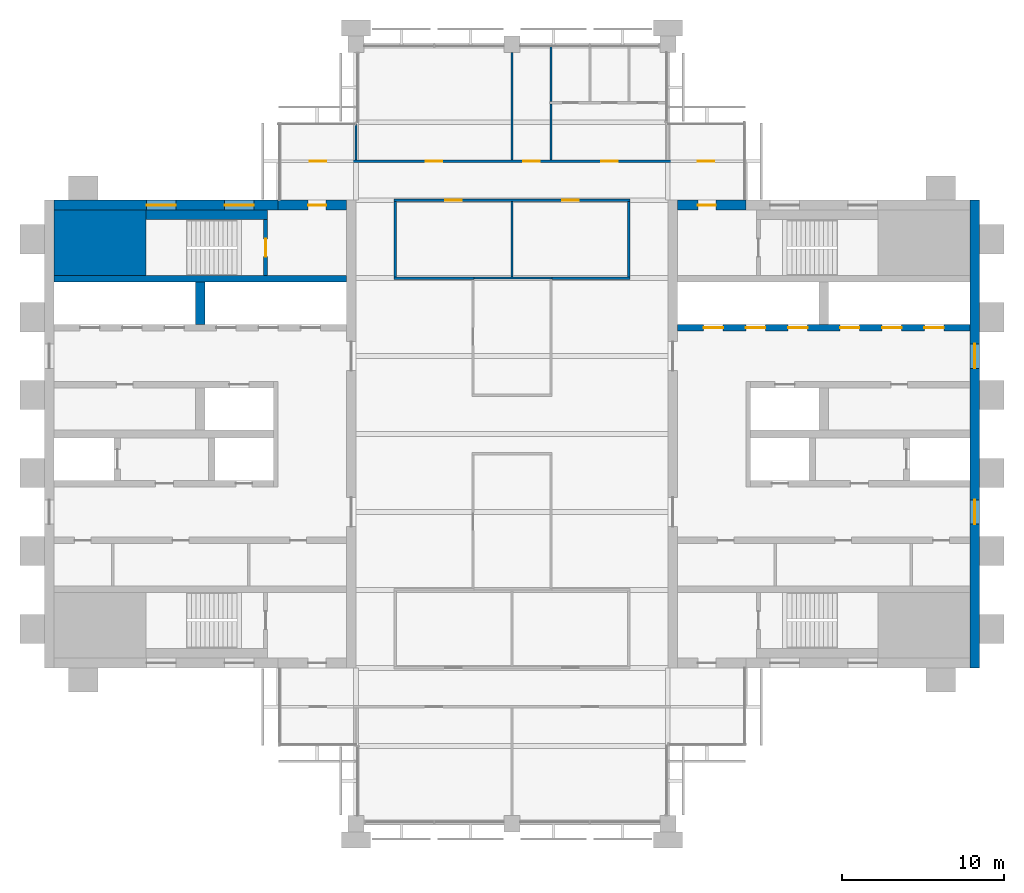
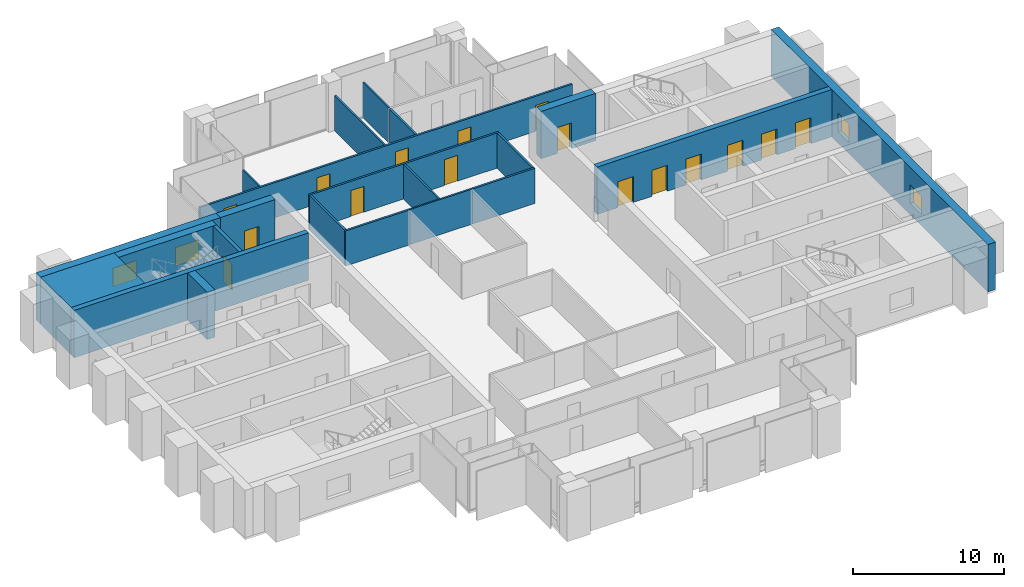
# One storey, part 10 of 12: 22 walls, 16 doors, 4 windows, 20 openings.
"""IFC4 building model written with IfcOpenShell, lengths in metres."""

from ifc_helpers import new_model, si_unit, direction, frame, frame_2d, origin, place, context, subcontext, project, spatial, rectangle, extrude, material, layer, layer_set, type_object, element, fill, save


model = new_model("IFC4")

# Units and contexts
model_context = context("Model", 3, precision=1e-05, world=origin(), true_north=direction((0.0, 1.0)))
body_context = subcontext(model_context, "Body", "Model", "MODEL_VIEW")
ifc_project = project(units=[si_unit("LENGTHUNIT", "METRE"), si_unit("AREAUNIT", "SQUARE_METRE"), si_unit("VOLUMEUNIT", "CUBIC_METRE"), si_unit("PLANEANGLEUNIT", "RADIAN"), si_unit("MASSUNIT", "GRAM", prefix="KILO")], contexts=[model_context])

# Site, building, storey
site_placement = place(None, origin())
site = spatial("IfcSite", under=ifc_project, at=site_placement, CompositionType="ELEMENT")
building_placement = place(site_placement, origin())
building = spatial("IfcBuilding", under=site, at=building_placement, Name="Baori Bourse Tower", CompositionType="ELEMENT")
storey_placement = place(building_placement, frame((0.0, 0.0, 298.300048828125)))
storey = spatial("IfcBuildingStorey", under=building, at=storey_placement, Name="L65", CompositionType="ELEMENT", Elevation=298.300048828125)

# Wall
ifc_material_1 = material(Name="Concrete f'c 40 MPa", Category="concrete")
wall_type_1 = type_object("IfcWallType", Name="Core corner block f'c 40", PredefinedType="SHEAR", material=ifc_material_1)
wall_1_placement = place(storey_placement, frame((0.60009765625, 35.77490234375, 0.0), z_axis=(0.0, 0.0, 1.0), x_axis=(1.0, 0.0, 0.0)))
element("IfcWall", 1, at=wall_1_placement, inside=storey, type_object=wall_type_1, Name="Core wall W22", PredefinedType="SHEAR", context=body_context, shape_type="SweptSolid", body=[
    extrude(rectangle(XDim=5.64990234375, YDim=4.050048828125, at=frame_2d((2.824951171875, 0.0))), origin(), (0.0, 0.0, 1.0), 3.83984375),
])

# Wall, openings, windows
ifc_material_2 = material(Name="Concrete f'c 40 MPa", Category="concrete")
ifc_layer_1 = layer(ifc_material_2, 0.60009765625)
ifc_layer_set_1 = layer_set([ifc_layer_1], Name="Core wall 600 f'c 40")
wall_type_2 = type_object("IfcWallType", Name="Core wall 600 f'c 40", PredefinedType="SHEAR", material=ifc_layer_set_1)
wall_2_placement = place(storey_placement, frame((0.60009765625, 38.10009765625, 0.0), z_axis=(0.0, 0.0, 1.0), x_axis=(1.0, 0.0, 0.0)))
wall_2 = element("IfcWall", 2, at=wall_2_placement, inside=storey, type_object=wall_type_2, Name="Core wall W25", PredefinedType="SHEAR", context=body_context, shape_type="SweptSolid", body=[
    extrude(rectangle(XDim=13.7998046875, YDim=0.60009765625, at=frame_2d((6.89990234375, 0.0))), origin(), (0.0, 0.0, 1.0), 3.83984375),
])
opening_1_placement = place(wall_2_placement, frame((5.699951171875, 0.0, 0.89990234375)))
opening_1 = element("IfcOpeningElement", 3, at=opening_1_placement, cuts=wall_2, Name="Opening L65-KW105", PredefinedType="OPENING", context=body_context, shape_type="SweptSolid", body=[
    extrude(rectangle(XDim=1.800048828125, YDim=1.5, at=frame_2d((0.89990234375, 0.75))), frame((0.0, 0.31005859375, 0.0), z_axis=(0.0, -1.0, 0.0), x_axis=(1.0, 0.0, 0.0)), (0.0, 0.0, 1.0), 0.6201171875),
])
opening_2_placement = place(wall_2_placement, frame((10.5, 0.0, 0.89990234375)))
opening_2 = element("IfcOpeningElement", 4, at=opening_2_placement, cuts=wall_2, Name="Opening L65-KW106", PredefinedType="OPENING", context=body_context, shape_type="SweptSolid", body=[
    extrude(rectangle(XDim=1.800048828125, YDim=1.5, at=frame_2d((0.89990234375, 0.75))), frame((0.0, 0.31005859375, 0.0), z_axis=(0.0, -1.0, 0.0), x_axis=(1.0, 0.0, 0.0)), (0.0, 0.0, 1.0), 0.6201171875),
])
ifc_material_3 = material(Name="Pale anodised aluminium", Category="aluminium")
window_type_1 = type_object("IfcWindowType", Name="Stair window 1800 x 1500", PartitioningType="SINGLE_PANEL", PredefinedType="WINDOW", material=ifc_material_3)
window_1_placement = place(opening_1_placement, origin())
window_1 = element("IfcWindow", 5, at=window_1_placement, inside=storey, type_object=window_type_1, Name="Stair window W L65 5", OverallHeight=1.5, OverallWidth=1.800048828125, PartitioningType="SINGLE_PANEL", PredefinedType="WINDOW", context=body_context, shape_type="SweptSolid", body=[
    extrude(rectangle(XDim=1.800048828125, YDim=1.5, at=frame_2d((0.89990234375, 0.75))), frame((0.0, 0.030029296875, 0.0), z_axis=(0.0, -1.0, 0.0), x_axis=(1.0, 0.0, 0.0)), (0.0, 0.0, 1.0), 0.06005859375),
])
fill(opening_1, window_1)
window_2_placement = place(opening_2_placement, origin())
window_2 = element("IfcWindow", 6, at=window_2_placement, inside=storey, type_object=window_type_1, Name="Stair window W L65 6", OverallHeight=1.5, OverallWidth=1.800048828125, PartitioningType="SINGLE_PANEL", PredefinedType="WINDOW", context=body_context, shape_type="SweptSolid", body=[
    extrude(rectangle(XDim=1.800048828125, YDim=1.5, at=frame_2d((0.89990234375, 0.75))), frame((0.0, 0.030029296875, 0.0), z_axis=(0.0, -1.0, 0.0), x_axis=(1.0, 0.0, 0.0)), (0.0, 0.0, 1.0), 0.06005859375),
])
fill(opening_2, window_2)

# Wall, opening, door
wall_3_placement = place(storey_placement, frame((14.39990234375, 38.10009765625, 0.0), z_axis=(0.0, 0.0, 1.0), x_axis=(1.0, 0.0, 0.0)))
wall_3 = element("IfcWall", 7, at=wall_3_placement, inside=storey, type_object=wall_type_2, Name="Core wall W26", PredefinedType="SHEAR", context=body_context, shape_type="SweptSolid", body=[
    extrude(rectangle(XDim=4.2001953125, YDim=0.60009765625, at=frame_2d((2.10009765625, 0.0))), origin(), (0.0, 0.0, 1.0), 3.83984375),
])
opening_3_placement = place(wall_3_placement, frame((1.85009765625, 0.0, 0.0)))
opening_3 = element("IfcOpeningElement", 8, at=opening_3_placement, cuts=wall_3, Name="Opening L65-D104", PredefinedType="OPENING", context=body_context, shape_type="SweptSolid", body=[
    extrude(rectangle(XDim=1.10009765625, YDim=2.10009765625, at=frame_2d((0.550048828125, 1.050048828125))), frame((0.0, 0.31005859375, 0.0), z_axis=(0.0, -1.0, 0.0), x_axis=(1.0, 0.0, 0.0)), (0.0, 0.0, 1.0), 0.6201171875),
])
ifc_material_4 = material(Name="Painted steel door", Category="steel")
door_type_1 = type_object("IfcDoorType", Name="Stair door 1100", OperationType="SINGLE_SWING_LEFT", PredefinedType="DOOR", material=ifc_material_4)
door_1_placement = place(opening_3_placement, origin())
door_1 = element("IfcDoor", 9, at=door_1_placement, inside=storey, type_object=door_type_1, Name="Stair vestibule door B W L65", OperationType="SINGLE_SWING_LEFT", OverallHeight=2.10009765625, OverallWidth=1.10009765625, PredefinedType="DOOR", context=body_context, shape_type="SweptSolid", body=[
    extrude(rectangle(XDim=1.10009765625, YDim=2.10009765625, at=frame_2d((0.550048828125, 1.050048828125))), frame((0.0, 0.02490234375, 0.0), z_axis=(0.0, -1.0, 0.0), x_axis=(1.0, 0.0, 0.0)), (0.0, 0.0, 1.0), 0.050048828125),
])
fill(opening_3, door_1)

# Wall, openings, windows
wall_4_placement = place(storey_placement, frame((57.300048828125, 38.39990234375, 0.0), z_axis=(0.0, 0.0, 1.0), x_axis=(0.0, -1.0, 0.0)))
wall_4 = element("IfcWall", 10, at=wall_4_placement, inside=storey, type_object=wall_type_2, Name="Core wall E01", PredefinedType="SHEAR", context=body_context, shape_type="SweptSolid", body=[
    extrude(rectangle(XDim=28.7998046875, YDim=0.60009765625, at=frame_2d((14.39990234375, 0.0))), origin(), (0.0, 0.0, 1.0), 3.83984375),
])
opening_4_placement = place(wall_4_placement, frame((18.449951171875, 0.0, 0.89990234375)))
opening_4 = element("IfcOpeningElement", 11, at=opening_4_placement, cuts=wall_4, Name="Opening L65-KW201", PredefinedType="OPENING", context=body_context, shape_type="SweptSolid", body=[
    extrude(rectangle(XDim=1.5, YDim=1.5, at=frame_2d((0.75, 0.75))), frame((0.0, 0.31005859375, 0.0), z_axis=(0.0, -1.0, 0.0), x_axis=(1.0, 0.0, 0.0)), (0.0, 0.0, 1.0), 0.6201171875),
])
opening_5_placement = place(wall_4_placement, frame((8.85009765625, 0.0, 0.89990234375)))
opening_5 = element("IfcOpeningElement", 12, at=opening_5_placement, cuts=wall_4, Name="Opening L65-KW202", PredefinedType="OPENING", context=body_context, shape_type="SweptSolid", body=[
    extrude(rectangle(XDim=1.5, YDim=1.5, at=frame_2d((0.75, 0.75))), frame((0.0, 0.31005859375, 0.0), z_axis=(0.0, -1.0, 0.0), x_axis=(1.0, 0.0, 0.0)), (0.0, 0.0, 1.0), 0.6201171875),
])
ifc_material_5 = material(Name="Pale anodised aluminium", Category="aluminium")
window_type_2 = type_object("IfcWindowType", Name="Lobby window 1500 x 1500", PartitioningType="SINGLE_PANEL", PredefinedType="WINDOW", material=ifc_material_5)
window_3_placement = place(opening_4_placement, origin())
window_3 = element("IfcWindow", 13, at=window_3_placement, inside=storey, type_object=window_type_2, Name="Outer wall window E L65 1", OverallHeight=1.5, OverallWidth=1.5, PartitioningType="SINGLE_PANEL", PredefinedType="WINDOW", context=body_context, shape_type="SweptSolid", body=[
    extrude(rectangle(XDim=1.5, YDim=1.5, at=frame_2d((0.75, 0.75))), frame((0.0, 0.030029296875, 0.0), z_axis=(0.0, -1.0, 0.0), x_axis=(1.0, 0.0, 0.0)), (0.0, 0.0, 1.0), 0.06005859375),
])
fill(opening_4, window_3)
window_4_placement = place(opening_5_placement, origin())
window_4 = element("IfcWindow", 14, at=window_4_placement, inside=storey, type_object=window_type_2, Name="Outer wall window E L65 2", OverallHeight=1.5, OverallWidth=1.5, PartitioningType="SINGLE_PANEL", PredefinedType="WINDOW", context=body_context, shape_type="SweptSolid", body=[
    extrude(rectangle(XDim=1.5, YDim=1.5, at=frame_2d((0.75, 0.75))), frame((0.0, 0.030029296875, 0.0), z_axis=(0.0, -1.0, 0.0), x_axis=(1.0, 0.0, 0.0)), (0.0, 0.0, 1.0), 0.06005859375),
])
fill(opening_5, window_4)

# Wall, opening, door
wall_5_placement = place(storey_placement, frame((39.0, 38.10009765625, 0.0), z_axis=(0.0, 0.0, 1.0), x_axis=(1.0, 0.0, 0.0)))
wall_5 = element("IfcWall", 15, at=wall_5_placement, inside=storey, type_object=wall_type_2, Name="Core wall E26", PredefinedType="SHEAR", context=body_context, shape_type="SweptSolid", body=[
    extrude(rectangle(XDim=4.199951171875, YDim=0.60009765625, at=frame_2d((2.10009765625, 0.0))), origin(), (0.0, 0.0, 1.0), 3.83984375),
])
opening_6_placement = place(wall_5_placement, frame((1.25, 0.0, 0.0)))
opening_6 = element("IfcOpeningElement", 16, at=opening_6_placement, cuts=wall_5, Name="Opening L65-D204", PredefinedType="OPENING", context=body_context, shape_type="SweptSolid", body=[
    extrude(rectangle(XDim=1.10009765625, YDim=2.10009765625, at=frame_2d((0.550048828125, 1.050048828125))), frame((0.0, 0.31005859375, 0.0), z_axis=(0.0, -1.0, 0.0), x_axis=(1.0, 0.0, 0.0)), (0.0, 0.0, 1.0), 0.6201171875),
])
door_2_placement = place(opening_6_placement, origin())
door_2 = element("IfcDoor", 17, at=door_2_placement, inside=storey, type_object=door_type_1, Name="Stair vestibule door B E L65", OperationType="SINGLE_SWING_LEFT", OverallHeight=2.10009765625, OverallWidth=1.10009765625, PredefinedType="DOOR", context=body_context, shape_type="SweptSolid", body=[
    extrude(rectangle(XDim=1.10009765625, YDim=2.10009765625, at=frame_2d((0.550048828125, 1.050048828125))), frame((0.0, 0.02490234375, 0.0), z_axis=(0.0, -1.0, 0.0), x_axis=(1.0, 0.0, 0.0)), (0.0, 0.0, 1.0), 0.050048828125),
])
fill(opening_6, door_2)

# Walls
ifc_material_6 = material(Name="Gypsum board partition")
ifc_layer_2 = layer(ifc_material_6, 0.14990234375)
ifc_layer_set_2 = layer_set([ifc_layer_2], Name="Corridor partition 150")
wall_type_3 = type_object("IfcWallType", Name="Corridor partition 150", PredefinedType="PARTITIONING", material=ifc_layer_set_2)
wall_6_placement = place(storey_placement, frame((21.52490234375, 33.60009765625, 0.0), z_axis=(0.0, 0.0, 1.0), x_axis=(1.0, 0.0, 0.0)))
element("IfcWall", 18, at=wall_6_placement, inside=storey, type_object=wall_type_3, Name="Partition", PredefinedType="PARTITIONING", context=body_context, shape_type="SweptSolid", body=[
    extrude(rectangle(XDim=4.9501953125, YDim=0.14990234375, at=frame_2d((2.47509765625, 0.0))), origin(), (0.0, 0.0, 1.0), 2.849365234375),
])
wall_7_placement = place(storey_placement, frame((31.27490234375, 33.60009765625, 0.0), z_axis=(0.0, 0.0, 1.0), x_axis=(1.0, 0.0, 0.0)))
element("IfcWall", 19, at=wall_7_placement, inside=storey, type_object=wall_type_3, Name="Partition", PredefinedType="PARTITIONING", context=body_context, shape_type="SweptSolid", body=[
    extrude(rectangle(XDim=4.800048828125, YDim=0.14990234375, at=frame_2d((2.39990234375, 0.0))), origin(), (0.0, 0.0, 1.0), 2.849365234375),
])

# Wall, openings, doors
wall_8_placement = place(storey_placement, frame((21.52490234375, 38.39990234375, 0.0), z_axis=(0.0, 0.0, 1.0), x_axis=(1.0, 0.0, 0.0)))
wall_8 = element("IfcWall", 20, at=wall_8_placement, inside=storey, type_object=wall_type_3, Name="Partition", PredefinedType="PARTITIONING", context=body_context, shape_type="SweptSolid", body=[
    extrude(rectangle(XDim=14.550048828125, YDim=0.14990234375, at=frame_2d((7.27490234375, 0.0))), origin(), (0.0, 0.0, 1.0), 2.849365234375),
])
opening_7_placement = place(wall_8_placement, frame((3.175048828125, 0.0, 0.0)))
opening_7 = element("IfcOpeningElement", 21, at=opening_7_placement, cuts=wall_8, Name="Opening L65-D06", PredefinedType="OPENING", context=body_context, shape_type="SweptSolid", body=[
    extrude(rectangle(XDim=1.0, YDim=2.10009765625, at=frame_2d((0.5, 1.050048828125))), frame((0.0, 0.0849609375, 0.0), z_axis=(0.0, -1.0, 0.0), x_axis=(1.0, 0.0, 0.0)), (0.0, 0.0, 1.0), 0.169921875),
])
opening_8_placement = place(wall_8_placement, frame((10.375, 0.0, 0.0)))
opening_8 = element("IfcOpeningElement", 22, at=opening_8_placement, cuts=wall_8, Name="Opening L65-D07", PredefinedType="OPENING", context=body_context, shape_type="SweptSolid", body=[
    extrude(rectangle(XDim=1.0, YDim=2.10009765625, at=frame_2d((0.5, 1.050048828125))), frame((0.0, 0.0849609375, 0.0), z_axis=(0.0, -1.0, 0.0), x_axis=(1.0, 0.0, 0.0)), (0.0, 0.0, 1.0), 0.169921875),
])
ifc_material_7 = material(Name="Timber door leaf", Category="wood")
door_type_2 = type_object("IfcDoorType", Name="Door 1000 x 2100", OperationType="SINGLE_SWING_LEFT", PredefinedType="DOOR", material=ifc_material_7)
door_3_placement = place(opening_7_placement, origin())
door_3 = element("IfcDoor", 23, at=door_3_placement, inside=storey, type_object=door_type_2, Name="Door", OperationType="SINGLE_SWING_LEFT", OverallHeight=2.10009765625, OverallWidth=1.0, PredefinedType="DOOR", context=body_context, shape_type="SweptSolid", body=[
    extrude(rectangle(XDim=1.0, YDim=2.10009765625, at=frame_2d((0.5, 1.050048828125))), frame((0.0, 0.02490234375, 0.0), z_axis=(0.0, -1.0, 0.0), x_axis=(1.0, 0.0, 0.0)), (0.0, 0.0, 1.0), 0.050048828125),
])
fill(opening_7, door_3)
door_4_placement = place(opening_8_placement, origin())
door_4 = element("IfcDoor", 24, at=door_4_placement, inside=storey, type_object=door_type_2, Name="Door", OperationType="SINGLE_SWING_RIGHT", OverallHeight=2.10009765625, OverallWidth=1.0, PredefinedType="DOOR", context=body_context, shape_type="SweptSolid", body=[
    extrude(rectangle(XDim=1.0, YDim=2.10009765625, at=frame_2d((0.5, 1.050048828125))), frame((0.0, 0.02490234375, 0.0), z_axis=(0.0, -1.0, 0.0), x_axis=(1.0, 0.0, 0.0)), (0.0, 0.0, 1.0), 0.050048828125),
])
fill(opening_8, door_4)

wall_9_placement = place(storey_placement, frame((14.5, 40.800048828125, 0.0), z_axis=(0.0, 0.0, 1.0), x_axis=(1.0, 0.0, 0.0)))
wall_9 = element("IfcWall", 25, at=wall_9_placement, inside=storey, type_object=wall_type_3, Name="Partition", PredefinedType="PARTITIONING", context=body_context, shape_type="SweptSolid", body=[
    extrude(rectangle(XDim=28.60009765625, YDim=0.14990234375, at=frame_2d((14.300048828125, 0.0))), origin(), (0.0, 0.0, 1.0), 2.849365234375),
])
opening_9_placement = place(wall_9_placement, frame((1.85009765625, 0.0, 0.0)))
opening_9 = element("IfcOpeningElement", 26, at=opening_9_placement, cuts=wall_9, Name="Opening L65-D08", PredefinedType="OPENING", context=body_context, shape_type="SweptSolid", body=[
    extrude(rectangle(XDim=1.0, YDim=2.10009765625, at=frame_2d((0.5, 1.050048828125))), frame((0.0, 0.0849609375, 0.0), z_axis=(0.0, -1.0, 0.0), x_axis=(1.0, 0.0, 0.0)), (0.0, 0.0, 1.0), 0.169921875),
])
opening_10_placement = place(wall_9_placement, frame((9.0, 0.0, 0.0)))
opening_10 = element("IfcOpeningElement", 27, at=opening_10_placement, cuts=wall_9, Name="Opening L65-D09", PredefinedType="OPENING", context=body_context, shape_type="SweptSolid", body=[
    extrude(rectangle(XDim=1.0, YDim=2.10009765625, at=frame_2d((0.5, 1.050048828125))), frame((0.0, 0.0849609375, 0.0), z_axis=(0.0, -1.0, 0.0), x_axis=(1.0, 0.0, 0.0)), (0.0, 0.0, 1.0), 0.169921875),
])
opening_11_placement = place(wall_9_placement, frame((15.0, 0.0, 0.0)))
opening_11 = element("IfcOpeningElement", 28, at=opening_11_placement, cuts=wall_9, Name="Opening L65-D10", PredefinedType="OPENING", context=body_context, shape_type="SweptSolid", body=[
    extrude(rectangle(XDim=1.0, YDim=2.10009765625, at=frame_2d((0.5, 1.050048828125))), frame((0.0, 0.0849609375, 0.0), z_axis=(0.0, -1.0, 0.0), x_axis=(1.0, 0.0, 0.0)), (0.0, 0.0, 1.0), 0.169921875),
])
opening_12_placement = place(wall_9_placement, frame((19.800048828125, 0.0, 0.0)))
opening_12 = element("IfcOpeningElement", 29, at=opening_12_placement, cuts=wall_9, Name="Opening L65-D11", PredefinedType="OPENING", context=body_context, shape_type="SweptSolid", body=[
    extrude(rectangle(XDim=1.0, YDim=2.10009765625, at=frame_2d((0.5, 1.050048828125))), frame((0.0, 0.0849609375, 0.0), z_axis=(0.0, -1.0, 0.0), x_axis=(1.0, 0.0, 0.0)), (0.0, 0.0, 1.0), 0.169921875),
])
opening_13_placement = place(wall_9_placement, frame((25.75, 0.0, 0.0)))
opening_13 = element("IfcOpeningElement", 30, at=opening_13_placement, cuts=wall_9, Name="Opening L65-D12", PredefinedType="OPENING", context=body_context, shape_type="SweptSolid", body=[
    extrude(rectangle(XDim=1.0, YDim=2.10009765625, at=frame_2d((0.5, 1.050048828125))), frame((0.0, 0.0849609375, 0.0), z_axis=(0.0, -1.0, 0.0), x_axis=(1.0, 0.0, 0.0)), (0.0, 0.0, 1.0), 0.169921875),
])
door_5_placement = place(opening_9_placement, origin())
door_5 = element("IfcDoor", 31, at=door_5_placement, inside=storey, type_object=door_type_2, Name="Door", OperationType="SINGLE_SWING_RIGHT", OverallHeight=2.10009765625, OverallWidth=1.0, PredefinedType="DOOR", context=body_context, shape_type="SweptSolid", body=[
    extrude(rectangle(XDim=1.0, YDim=2.10009765625, at=frame_2d((0.5, 1.050048828125))), frame((0.0, 0.02490234375, 0.0), z_axis=(0.0, -1.0, 0.0), x_axis=(1.0, 0.0, 0.0)), (0.0, 0.0, 1.0), 0.050048828125),
])
fill(opening_9, door_5)
door_6_placement = place(opening_10_placement, origin())
door_6 = element("IfcDoor", 32, at=door_6_placement, inside=storey, type_object=door_type_2, Name="Door", OperationType="SINGLE_SWING_RIGHT", OverallHeight=2.10009765625, OverallWidth=1.0, PredefinedType="DOOR", context=body_context, shape_type="SweptSolid", body=[
    extrude(rectangle(XDim=1.0, YDim=2.10009765625, at=frame_2d((0.5, 1.050048828125))), frame((0.0, 0.02490234375, 0.0), z_axis=(0.0, -1.0, 0.0), x_axis=(1.0, 0.0, 0.0)), (0.0, 0.0, 1.0), 0.050048828125),
])
fill(opening_10, door_6)
door_7_placement = place(opening_11_placement, origin())
door_7 = element("IfcDoor", 33, at=door_7_placement, inside=storey, type_object=door_type_2, Name="Door", OperationType="SINGLE_SWING_LEFT", OverallHeight=2.10009765625, OverallWidth=1.0, PredefinedType="DOOR", context=body_context, shape_type="SweptSolid", body=[
    extrude(rectangle(XDim=1.0, YDim=2.10009765625, at=frame_2d((0.5, 1.050048828125))), frame((0.0, 0.02490234375, 0.0), z_axis=(0.0, -1.0, 0.0), x_axis=(1.0, 0.0, 0.0)), (0.0, 0.0, 1.0), 0.050048828125),
])
fill(opening_11, door_7)
door_8_placement = place(opening_12_placement, origin())
door_8 = element("IfcDoor", 34, at=door_8_placement, inside=storey, type_object=door_type_2, Name="Door", OperationType="SINGLE_SWING_RIGHT", OverallHeight=2.10009765625, OverallWidth=1.0, PredefinedType="DOOR", context=body_context, shape_type="SweptSolid", body=[
    extrude(rectangle(XDim=1.0, YDim=2.10009765625, at=frame_2d((0.5, 1.050048828125))), frame((0.0, 0.02490234375, 0.0), z_axis=(0.0, -1.0, 0.0), x_axis=(1.0, 0.0, 0.0)), (0.0, 0.0, 1.0), 0.050048828125),
])
fill(opening_12, door_8)
door_9_placement = place(opening_13_placement, origin())
door_9 = element("IfcDoor", 35, at=door_9_placement, inside=storey, type_object=door_type_2, Name="Door", OperationType="SINGLE_SWING_LEFT", OverallHeight=2.10009765625, OverallWidth=1.0, PredefinedType="DOOR", context=body_context, shape_type="SweptSolid", body=[
    extrude(rectangle(XDim=1.0, YDim=2.10009765625, at=frame_2d((0.5, 1.050048828125))), frame((0.0, 0.02490234375, 0.0), z_axis=(0.0, -1.0, 0.0), x_axis=(1.0, 0.0, 0.0)), (0.0, 0.0, 1.0), 0.050048828125),
])
fill(opening_13, door_9)

# Walls
wall_10_placement = place(storey_placement, frame((21.60009765625, 33.675048828125, 0.0), z_axis=(0.0, 0.0, 1.0), x_axis=(0.0, 1.0, 0.0)))
element("IfcWall", 36, at=wall_10_placement, inside=storey, type_object=wall_type_3, Name="Partition", PredefinedType="PARTITIONING", context=body_context, shape_type="SweptSolid", body=[
    extrude(rectangle(XDim=4.64990234375, YDim=0.14990234375, at=frame_2d((2.324951171875, 0.0))), origin(), (0.0, 0.0, 1.0), 2.849365234375),
])
wall_11_placement = place(storey_placement, frame((31.199951171875, 40.875, 0.0), z_axis=(0.0, 0.0, 1.0), x_axis=(0.0, 1.0, 0.0)))
element("IfcWall", 37, at=wall_11_placement, inside=storey, type_object=wall_type_3, Name="Partition", PredefinedType="PARTITIONING", context=body_context, shape_type="SweptSolid", body=[
    extrude(rectangle(XDim=3.449951171875, YDim=0.14990234375, at=frame_2d((1.72509765625, 0.0))), origin(), (0.0, 0.0, 1.0), 2.849365234375),
])
wall_12_placement = place(storey_placement, frame((36.0, 33.675048828125, 0.0), z_axis=(0.0, 0.0, 1.0), x_axis=(0.0, 1.0, 0.0)))
element("IfcWall", 38, at=wall_12_placement, inside=storey, type_object=wall_type_3, Name="Partition", PredefinedType="PARTITIONING", context=body_context, shape_type="SweptSolid", body=[
    extrude(rectangle(XDim=4.64990234375, YDim=0.14990234375, at=frame_2d((2.324951171875, 0.0))), origin(), (0.0, 0.0, 1.0), 2.849365234375),
])
ifc_material_8 = material(Name="Gypsum board partition")
ifc_layer_3 = layer(ifc_material_8, 0.125)
ifc_layer_set_3 = layer_set([ifc_layer_3], Name="Partition 125")
wall_type_4 = type_object("IfcWallType", Name="Partition 125", PredefinedType="PARTITIONING", material=ifc_layer_set_3)
wall_13_placement = place(storey_placement, frame((26.47509765625, 33.60009765625, 0.0), z_axis=(0.0, 0.0, 1.0), x_axis=(1.0, 0.0, 0.0)))
element("IfcWall", 39, at=wall_13_placement, inside=storey, type_object=wall_type_4, Name="Partition", PredefinedType="PARTITIONING", context=body_context, shape_type="SweptSolid", body=[
    extrude(rectangle(XDim=4.7998046875, YDim=0.125, at=frame_2d((2.39990234375, 0.0))), origin(), (0.0, 0.0, 1.0), 2.849365234375),
])
wall_14_placement = place(storey_placement, frame((19.199951171875, 40.875, 0.0), z_axis=(0.0, 0.0, 1.0), x_axis=(0.0, 1.0, 0.0)))
element("IfcWall", 40, at=wall_14_placement, inside=storey, type_object=wall_type_4, Name="Partition", PredefinedType="PARTITIONING", context=body_context, shape_type="SweptSolid", body=[
    extrude(rectangle(XDim=2.22509765625, YDim=0.125, at=frame_2d((1.112548828125, 0.0))), origin(), (0.0, 0.0, 1.0), 2.849365234375),
])
wall_15_placement = place(storey_placement, frame((28.800048828125, 33.66259765625, 0.0), z_axis=(0.0, 0.0, 1.0), x_axis=(0.0, 1.0, 0.0)))
element("IfcWall", 41, at=wall_15_placement, inside=storey, type_object=wall_type_4, Name="Partition", PredefinedType="PARTITIONING", context=body_context, shape_type="SweptSolid", body=[
    extrude(rectangle(XDim=4.662353515625, YDim=0.125, at=frame_2d((2.3310546875, 0.0))), origin(), (0.0, 0.0, 1.0), 2.849365234375),
])
wall_16_placement = place(storey_placement, frame((28.800048828125, 40.875, 0.0), z_axis=(0.0, 0.0, 1.0), x_axis=(0.0, 1.0, 0.0)))
element("IfcWall", 42, at=wall_16_placement, inside=storey, type_object=wall_type_4, Name="Partition", PredefinedType="PARTITIONING", context=body_context, shape_type="SweptSolid", body=[
    extrude(rectangle(XDim=6.625, YDim=0.125, at=frame_2d((3.3125, 0.0))), origin(), (0.0, 0.0, 1.0), 2.849365234375),
])
wall_17_placement = place(storey_placement, frame((31.199951171875, 44.47509765625, 0.0), z_axis=(0.0, 0.0, 1.0), x_axis=(0.0, 1.0, 0.0)))
element("IfcWall", 43, at=wall_17_placement, inside=storey, type_object=wall_type_4, Name="Partition", PredefinedType="PARTITIONING", context=body_context, shape_type="SweptSolid", body=[
    extrude(rectangle(XDim=3.4248046875, YDim=0.125, at=frame_2d((1.71240234375, 0.0))), origin(), (0.0, 0.0, 1.0), 2.849365234375),
])

# Wall, opening, door
ifc_material_9 = material(Name="Concrete f'c 40 MPa", Category="concrete")
ifc_layer_4 = layer(ifc_material_9, 0.25)
ifc_layer_set_4 = layer_set([ifc_layer_4], Name="Shaft wall 250 f'c 40")
wall_type_5 = type_object("IfcWallType", Name="Shaft wall 250 f'c 40", PredefinedType="SHEAR", material=ifc_layer_set_4)
wall_18_placement = place(storey_placement, frame((13.625, 33.75, 0.0), z_axis=(0.0, 0.0, 1.0), x_axis=(0.0, 1.0, 0.0)))
wall_18 = element("IfcWall", 44, at=wall_18_placement, inside=storey, type_object=wall_type_5, Name="Core wall W23", PredefinedType="SHEAR", context=body_context, shape_type="SweptSolid", body=[
    extrude(rectangle(XDim=3.449951171875, YDim=0.25, at=frame_2d((1.72509765625, 0.0))), origin(), (0.0, 0.0, 1.0), 3.83984375),
])
opening_14_placement = place(wall_18_placement, frame((1.175048828125, 0.0, 0.0)))
opening_14 = element("IfcOpeningElement", 45, at=opening_14_placement, cuts=wall_18, Name="Opening L65-D103", PredefinedType="OPENING", context=body_context, shape_type="SweptSolid", body=[
    extrude(rectangle(XDim=1.10009765625, YDim=2.10009765625, at=frame_2d((0.550048828125, 1.050048828125))), frame((0.0, 0.135009765625, 0.0), z_axis=(0.0, -1.0, 0.0), x_axis=(1.0, 0.0, 0.0)), (0.0, 0.0, 1.0), 0.27001953125),
])
door_10_placement = place(opening_14_placement, origin())
door_10 = element("IfcDoor", 46, at=door_10_placement, inside=storey, type_object=door_type_1, Name="Stair door B W L65", OperationType="SINGLE_SWING_LEFT", OverallHeight=2.10009765625, OverallWidth=1.10009765625, PredefinedType="DOOR", context=body_context, shape_type="SweptSolid", body=[
    extrude(rectangle(XDim=1.10009765625, YDim=2.10009765625, at=frame_2d((0.550048828125, 1.050048828125))), frame((0.0, 0.02490234375, 0.0), z_axis=(0.0, -1.0, 0.0), x_axis=(1.0, 0.0, 0.0)), (0.0, 0.0, 1.0), 0.050048828125),
])
fill(opening_14, door_10)

# Wall
ifc_material_10 = material(Name="Concrete f'c 40 MPa", Category="concrete")
ifc_layer_5 = layer(ifc_material_10, 0.39990234375)
ifc_layer_set_5 = layer_set([ifc_layer_5], Name="Shaft wall 400 f'c 40")
wall_type_6 = type_object("IfcWallType", Name="Shaft wall 400 f'c 40", PredefinedType="SHEAR", material=ifc_layer_set_5)
wall_19_placement = place(storey_placement, frame((0.60009765625, 33.550048828125, 0.0), z_axis=(0.0, 0.0, 1.0), x_axis=(1.0, 0.0, 0.0)))
element("IfcWall", 47, at=wall_19_placement, inside=storey, type_object=wall_type_6, Name="Core wall W21", PredefinedType="SHEAR", context=body_context, shape_type="SweptSolid", body=[
    extrude(rectangle(XDim=18.0, YDim=0.39990234375, at=frame_2d((9.0, 0.0))), origin(), (0.0, 0.0, 1.0), 3.83984375),
])

# Wall, openings, doors
wall_20_placement = place(storey_placement, frame((39.0, 30.550048828125, 0.0), z_axis=(0.0, 0.0, 1.0), x_axis=(1.0, 0.0, 0.0)))
wall_20 = element("IfcWall", 48, at=wall_20_placement, inside=storey, type_object=wall_type_6, Name="Core wall E19", PredefinedType="SHEAR", context=body_context, shape_type="SweptSolid", body=[
    extrude(rectangle(XDim=18.0, YDim=0.39990234375, at=frame_2d((9.0, 0.0))), origin(), (0.0, 0.0, 1.0), 3.83984375),
])
opening_15_placement = place(wall_20_placement, frame((15.199951171875, 0.0, 0.0)))
opening_15 = element("IfcOpeningElement", 49, at=opening_15_placement, cuts=wall_20, Name="Opening L65-D213", PredefinedType="OPENING", context=body_context, shape_type="SweptSolid", body=[
    extrude(rectangle(XDim=1.199951171875, YDim=2.10009765625, at=frame_2d((0.60009765625, 1.050048828125))), frame((0.0, 0.2099609375, 0.0), z_axis=(0.0, -1.0, 0.0), x_axis=(1.0, 0.0, 0.0)), (0.0, 0.0, 1.0), 0.419921875),
])
opening_16_placement = place(wall_20_placement, frame((12.60009765625, 0.0, 0.0)))
opening_16 = element("IfcOpeningElement", 50, at=opening_16_placement, cuts=wall_20, Name="Opening L65-D214", PredefinedType="OPENING", context=body_context, shape_type="SweptSolid", body=[
    extrude(rectangle(XDim=1.199951171875, YDim=2.10009765625, at=frame_2d((0.60009765625, 1.050048828125))), frame((0.0, 0.2099609375, 0.0), z_axis=(0.0, -1.0, 0.0), x_axis=(1.0, 0.0, 0.0)), (0.0, 0.0, 1.0), 0.419921875),
])
opening_17_placement = place(wall_20_placement, frame((10.0, 0.0, 0.0)))
opening_17 = element("IfcOpeningElement", 51, at=opening_17_placement, cuts=wall_20, Name="Opening L65-D215", PredefinedType="OPENING", context=body_context, shape_type="SweptSolid", body=[
    extrude(rectangle(XDim=1.199951171875, YDim=2.10009765625, at=frame_2d((0.60009765625, 1.050048828125))), frame((0.0, 0.2099609375, 0.0), z_axis=(0.0, -1.0, 0.0), x_axis=(1.0, 0.0, 0.0)), (0.0, 0.0, 1.0), 0.419921875),
])
opening_18_placement = place(wall_20_placement, frame((6.800048828125, 0.0, 0.0)))
opening_18 = element("IfcOpeningElement", 52, at=opening_18_placement, cuts=wall_20, Name="Opening L65-D216", PredefinedType="OPENING", context=body_context, shape_type="SweptSolid", body=[
    extrude(rectangle(XDim=1.199951171875, YDim=2.10009765625, at=frame_2d((0.60009765625, 1.050048828125))), frame((0.0, 0.2099609375, 0.0), z_axis=(0.0, -1.0, 0.0), x_axis=(1.0, 0.0, 0.0)), (0.0, 0.0, 1.0), 0.419921875),
])
opening_19_placement = place(wall_20_placement, frame((4.199951171875, 0.0, 0.0)))
opening_19 = element("IfcOpeningElement", 53, at=opening_19_placement, cuts=wall_20, Name="Opening L65-D217", PredefinedType="OPENING", context=body_context, shape_type="SweptSolid", body=[
    extrude(rectangle(XDim=1.199951171875, YDim=2.10009765625, at=frame_2d((0.60009765625, 1.050048828125))), frame((0.0, 0.2099609375, 0.0), z_axis=(0.0, -1.0, 0.0), x_axis=(1.0, 0.0, 0.0)), (0.0, 0.0, 1.0), 0.419921875),
])
opening_20_placement = place(wall_20_placement, frame((1.60009765625, 0.0, 0.0)))
opening_20 = element("IfcOpeningElement", 54, at=opening_20_placement, cuts=wall_20, Name="Opening L65-D218", PredefinedType="OPENING", context=body_context, shape_type="SweptSolid", body=[
    extrude(rectangle(XDim=1.199951171875, YDim=2.10009765625, at=frame_2d((0.60009765625, 1.050048828125))), frame((0.0, 0.2099609375, 0.0), z_axis=(0.0, -1.0, 0.0), x_axis=(1.0, 0.0, 0.0)), (0.0, 0.0, 1.0), 0.419921875),
])
ifc_material_11 = material(Name="Stainless steel door", Category="steel")
door_type_3 = type_object("IfcDoorType", Name="Lift landing door", OperationType="DOUBLE_DOOR_SLIDING", PredefinedType="DOOR", material=ifc_material_11)
door_11_placement = place(opening_15_placement, origin())
door_11 = element("IfcDoor", 55, at=door_11_placement, inside=storey, type_object=door_type_3, Name="Lift landing door HR1 E L65", OperationType="DOUBLE_DOOR_SLIDING", OverallHeight=2.10009765625, OverallWidth=1.199951171875, PredefinedType="DOOR", context=body_context, shape_type="SweptSolid", body=[
    extrude(rectangle(XDim=1.199951171875, YDim=2.10009765625, at=frame_2d((0.60009765625, 1.050048828125))), frame((0.0, 0.02490234375, 0.0), z_axis=(0.0, -1.0, 0.0), x_axis=(1.0, 0.0, 0.0)), (0.0, 0.0, 1.0), 0.050048828125),
])
fill(opening_15, door_11)
door_12_placement = place(opening_16_placement, origin())
door_12 = element("IfcDoor", 56, at=door_12_placement, inside=storey, type_object=door_type_3, Name="Lift landing door HR2 E L65", OperationType="DOUBLE_DOOR_SLIDING", OverallHeight=2.10009765625, OverallWidth=1.199951171875, PredefinedType="DOOR", context=body_context, shape_type="SweptSolid", body=[
    extrude(rectangle(XDim=1.199951171875, YDim=2.10009765625, at=frame_2d((0.60009765625, 1.050048828125))), frame((0.0, 0.02490234375, 0.0), z_axis=(0.0, -1.0, 0.0), x_axis=(1.0, 0.0, 0.0)), (0.0, 0.0, 1.0), 0.050048828125),
])
fill(opening_16, door_12)
door_13_placement = place(opening_17_placement, origin())
door_13 = element("IfcDoor", 57, at=door_13_placement, inside=storey, type_object=door_type_3, Name="Lift landing door HR3 E L65", OperationType="DOUBLE_DOOR_SLIDING", OverallHeight=2.10009765625, OverallWidth=1.199951171875, PredefinedType="DOOR", context=body_context, shape_type="SweptSolid", body=[
    extrude(rectangle(XDim=1.199951171875, YDim=2.10009765625, at=frame_2d((0.60009765625, 1.050048828125))), frame((0.0, 0.02490234375, 0.0), z_axis=(0.0, -1.0, 0.0), x_axis=(1.0, 0.0, 0.0)), (0.0, 0.0, 1.0), 0.050048828125),
])
fill(opening_17, door_13)
door_14_placement = place(opening_18_placement, origin())
door_14 = element("IfcDoor", 58, at=door_14_placement, inside=storey, type_object=door_type_3, Name="Lift landing door HR4 E L65", OperationType="DOUBLE_DOOR_SLIDING", OverallHeight=2.10009765625, OverallWidth=1.199951171875, PredefinedType="DOOR", context=body_context, shape_type="SweptSolid", body=[
    extrude(rectangle(XDim=1.199951171875, YDim=2.10009765625, at=frame_2d((0.60009765625, 1.050048828125))), frame((0.0, 0.02490234375, 0.0), z_axis=(0.0, -1.0, 0.0), x_axis=(1.0, 0.0, 0.0)), (0.0, 0.0, 1.0), 0.050048828125),
])
fill(opening_18, door_14)
door_15_placement = place(opening_19_placement, origin())
door_15 = element("IfcDoor", 59, at=door_15_placement, inside=storey, type_object=door_type_3, Name="Lift landing door HR5 E L65", OperationType="DOUBLE_DOOR_SLIDING", OverallHeight=2.10009765625, OverallWidth=1.199951171875, PredefinedType="DOOR", context=body_context, shape_type="SweptSolid", body=[
    extrude(rectangle(XDim=1.199951171875, YDim=2.10009765625, at=frame_2d((0.60009765625, 1.050048828125))), frame((0.0, 0.02490234375, 0.0), z_axis=(0.0, -1.0, 0.0), x_axis=(1.0, 0.0, 0.0)), (0.0, 0.0, 1.0), 0.050048828125),
])
fill(opening_19, door_15)
door_16_placement = place(opening_20_placement, origin())
door_16 = element("IfcDoor", 60, at=door_16_placement, inside=storey, type_object=door_type_3, Name="Lift landing door HR6 E L65", OperationType="DOUBLE_DOOR_SLIDING", OverallHeight=2.10009765625, OverallWidth=1.199951171875, PredefinedType="DOOR", context=body_context, shape_type="SweptSolid", body=[
    extrude(rectangle(XDim=1.199951171875, YDim=2.10009765625, at=frame_2d((0.60009765625, 1.050048828125))), frame((0.0, 0.02490234375, 0.0), z_axis=(0.0, -1.0, 0.0), x_axis=(1.0, 0.0, 0.0)), (0.0, 0.0, 1.0), 0.050048828125),
])
fill(opening_20, door_16)

# Walls
ifc_material_12 = material(Name="Concrete f'c 40 MPa", Category="concrete")
ifc_layer_6 = layer(ifc_material_12, 0.60009765625)
ifc_layer_set_6 = layer_set([ifc_layer_6], Name="Shaft wall 600 f'c 40")
wall_type_7 = type_object("IfcWallType", Name="Shaft wall 600 f'c 40", PredefinedType="SHEAR", material=ifc_layer_set_6)
wall_21_placement = place(storey_placement, frame((9.60009765625, 30.75, 0.0), z_axis=(0.0, 0.0, 1.0), x_axis=(0.0, 1.0, 0.0)))
element("IfcWall", 61, at=wall_21_placement, inside=storey, type_object=wall_type_7, Name="Core wall W20", PredefinedType="SHEAR", context=body_context, shape_type="SweptSolid", body=[
    extrude(rectangle(XDim=2.60009765625, YDim=0.60009765625, at=frame_2d((1.300048828125, 0.0))), origin(), (0.0, 0.0, 1.0), 3.83984375),
])
wall_22_placement = place(storey_placement, frame((6.25, 37.5, 0.0), z_axis=(0.0, 0.0, 1.0), x_axis=(1.0, 0.0, 0.0)))
element("IfcWall", 62, at=wall_22_placement, inside=storey, type_object=wall_type_7, Name="Core wall W24", PredefinedType="SHEAR", context=body_context, shape_type="SweptSolid", body=[
    extrude(rectangle(XDim=7.5, YDim=0.60009765625, at=frame_2d((3.75, 0.0))), origin(), (0.0, 0.0, 1.0), 3.83984375),
])

save(model, "model.ifc")
